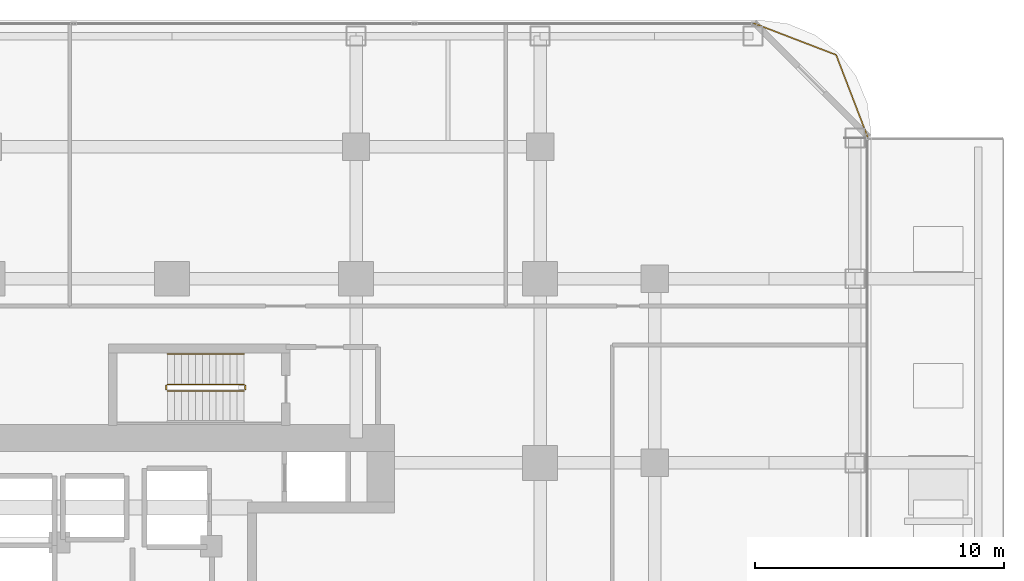
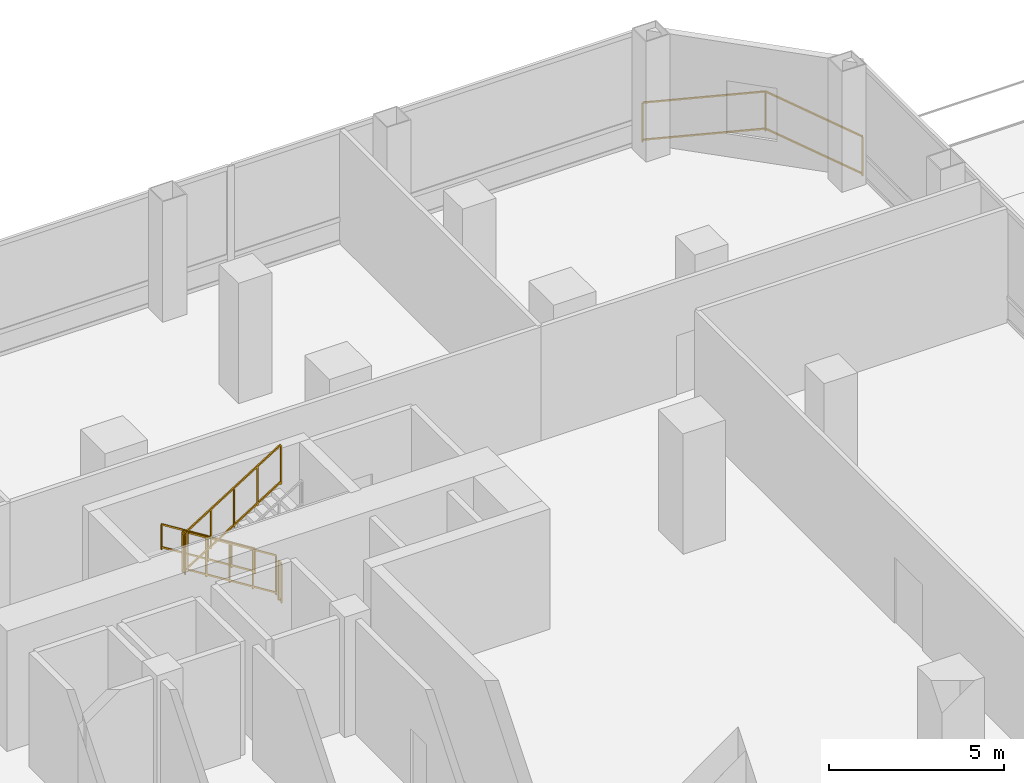
# One storey, part 29 of 29: 6 railings.
"""IFC4 building model written with IfcOpenShell, lengths in metres."""

from ifc_helpers import new_model, si_unit, direction, frame, origin, origin_2d, place, context, subcontext, project, spatial, rectangle, extrude, material, type_object, element, save


model = new_model("IFC4")

# Units and contexts
model_context = context("Model", 3, precision=1e-05, world=origin(), true_north=direction((0.0, 1.0)))
body_context = subcontext(model_context, "Body", "Model", "MODEL_VIEW")
ifc_project = project(units=[si_unit("LENGTHUNIT", "METRE"), si_unit("AREAUNIT", "SQUARE_METRE"), si_unit("VOLUMEUNIT", "CUBIC_METRE"), si_unit("PLANEANGLEUNIT", "RADIAN"), si_unit("MASSUNIT", "GRAM", prefix="KILO")], contexts=[model_context])

# Site, building, storey
site_placement = place(None, origin())
site = spatial("IfcSite", under=ifc_project, at=site_placement, CompositionType="ELEMENT")
building_placement = place(site_placement, origin())
building = spatial("IfcBuilding", under=site, at=building_placement, Name="Khorvyn Point Tower", CompositionType="ELEMENT")
storey_placement = place(building_placement, frame((0.0, 0.0, 26.39990234375)))
storey = spatial("IfcBuildingStorey", under=building, at=storey_placement, Name="L07", CompositionType="ELEMENT", Elevation=26.39990234375)

# Railings
ifc_material_1 = material(Name="Anodised aluminium 6063-T6 and laminated safety glass", Category="aluminium")
railing_type_1 = type_object("IfcRailingType", Name="Laminated Glass and Aluminium Balcony Guardrail 1400", PredefinedType="BALUSTRADE", material=ifc_material_1)
railing_1_placement = place(storey_placement, frame((27.97412109375, 20.470703125, 0.0)))
element("IfcRailing", 1, at=railing_1_placement, inside=storey, type_object=railing_type_1, Name="L07 Rounded Corner Edge Guardrail NE", PredefinedType="BALUSTRADE", context=body_context, shape_type="SweptSolid", body=[
    extrude(rectangle(XDim=0.048095703125, YDim=0.048095703125, at=origin_2d()), frame((0.0, 0.0, 1.3759765625), z_axis=(-0.35841886047, 0.933560882031, 0.0), x_axis=(-0.933560882031, -0.35841886047, 0.0)), (0.0, 0.0, 1.0), 3.563232421875),
    extrude(rectangle(XDim=0.048095703125, YDim=0.048095703125, at=origin_2d()), frame((0.0, 0.0, 0.080078125), z_axis=(-0.35841886047, 0.933560882031, 0.0), x_axis=(-0.933560882031, -0.35841886047, 0.0)), (0.0, 0.0, 1.0), 3.563232421875),
    extrude(rectangle(XDim=0.048095703125, YDim=0.048095703125, at=origin_2d()), frame((-1.277099609375, 3.326416015625, 1.3759765625), z_axis=(-0.933575007025, 0.358382067435, 0.0), x_axis=(-0.358382067435, -0.933575007025, 0.0)), (0.0, 0.0, 1.0), 3.562744140625),
    extrude(rectangle(XDim=0.048095703125, YDim=0.048095703125, at=origin_2d()), frame((-1.277099609375, 3.326416015625, 0.080078125), z_axis=(-0.933575007025, 0.358382067435, 0.0), x_axis=(-0.358382067435, -0.933575007025, 0.0)), (0.0, 0.0, 1.0), 3.562744140625),
    extrude(rectangle(XDim=0.0419921875, YDim=0.0419921875, at=origin_2d()), origin(), (0.0, 0.0, 1.0), 1.351806640625),
    extrude(rectangle(XDim=0.0419921875, YDim=0.0419921875, at=origin_2d()), frame((-1.277099609375, 3.326416015625, 0.0)), (0.0, 0.0, 1.0), 1.351806640625),
    extrude(rectangle(XDim=0.0419921875, YDim=0.0419921875, at=origin_2d()), frame((-4.603271484375, 4.603271484375, 0.0)), (0.0, 0.0, 1.0), 1.351806640625),
])
ifc_material_2 = material(Name="Stainless steel 1.4301", Category="steel")
railing_type_2 = type_object("IfcRailingType", Name="Stainless Steel 304 Stair Pitch Handrail 900", PredefinedType="HANDRAIL", material=ifc_material_2)
railing_2_placement = place(storey_placement, frame((2.89990234375, 11.77001953125, 0.175048828125)))
element("IfcRailing", 2, at=railing_2_placement, inside=storey, type_object=railing_type_2, Name="L07 ST-02 stair handrail 1", PredefinedType="HANDRAIL", context=body_context, shape_type="SweptSolid", body=[
    extrude(rectangle(XDim=0.048095703125, YDim=0.048095703125, at=origin_2d()), frame((0.0, 0.0, 0.8759765625), z_axis=(-0.847979421464, 0.0, 0.530029150871), x_axis=(0.0, -1.0, 0.0)), (0.0, 0.0, 1.0), 3.632080078125),
    extrude(rectangle(XDim=0.048095703125, YDim=0.048095703125, at=origin_2d()), frame((0.0, 0.0, 0.080078125), z_axis=(-0.847979421464, 0.0, 0.530029150871), x_axis=(0.0, -1.0, 0.0)), (0.0, 0.0, 1.0), 3.632080078125),
    extrude(rectangle(XDim=0.0419921875, YDim=0.0419921875, at=origin_2d()), origin(), (0.0, 0.0, 1.0), 0.851806640625),
    extrude(rectangle(XDim=0.0419921875, YDim=0.0419921875, at=origin_2d()), frame((-0.77001953125, 0.0, 0.481201171875)), (0.0, 0.0, 1.0), 0.851806640625),
    extrude(rectangle(XDim=0.0419921875, YDim=0.0419921875, at=origin_2d()), frame((-1.5400390625, 0.0, 0.96240234375)), (0.0, 0.0, 1.0), 0.851806640625),
    extrude(rectangle(XDim=0.0419921875, YDim=0.0419921875, at=origin_2d()), frame((-2.309814453125, 0.0, 1.44384765625)), (0.0, 0.0, 1.0), 0.851806640625),
    extrude(rectangle(XDim=0.0419921875, YDim=0.0419921875, at=origin_2d()), frame((-3.079833984375, 0.0, 1.925048828125)), (0.0, 0.0, 1.0), 0.851806640625),
])
railing_type_3 = type_object("IfcRailingType", Name="Stainless Steel 304 Stair Well Guardrail 1400", PredefinedType="GUARDRAIL", material=ifc_material_2)
railing_3_placement = place(storey_placement, frame((2.89990234375, 10.550048828125, 0.175048828125)))
element("IfcRailing", 3, at=railing_3_placement, inside=storey, type_object=railing_type_3, Name="L07 ST-02 stair guard 1", PredefinedType="GUARDRAIL", context=body_context, shape_type="SweptSolid", body=[
    extrude(rectangle(XDim=0.048095703125, YDim=0.048095703125, at=origin_2d()), frame((0.0, 0.0, 1.3759765625), z_axis=(-0.847979421464, 0.0, 0.530029150871), x_axis=(0.0, -1.0, 0.0)), (0.0, 0.0, 1.0), 3.632080078125),
    extrude(rectangle(XDim=0.048095703125, YDim=0.048095703125, at=origin_2d()), frame((0.0, 0.0, 0.080078125), z_axis=(-0.847979421464, 0.0, 0.530029150871), x_axis=(0.0, -1.0, 0.0)), (0.0, 0.0, 1.0), 3.632080078125),
    extrude(rectangle(XDim=0.0419921875, YDim=0.0419921875, at=origin_2d()), origin(), (0.0, 0.0, 1.0), 1.351806640625),
    extrude(rectangle(XDim=0.0419921875, YDim=0.0419921875, at=origin_2d()), frame((-0.77001953125, 0.0, 0.481201171875)), (0.0, 0.0, 1.0), 1.351806640625),
    extrude(rectangle(XDim=0.0419921875, YDim=0.0419921875, at=origin_2d()), frame((-1.5400390625, 0.0, 0.96240234375)), (0.0, 0.0, 1.0), 1.351806640625),
    extrude(rectangle(XDim=0.0419921875, YDim=0.0419921875, at=origin_2d()), frame((-2.309814453125, 0.0, 1.44384765625)), (0.0, 0.0, 1.0), 1.351806640625),
    extrude(rectangle(XDim=0.0419921875, YDim=0.0419921875, at=origin_2d()), frame((-3.079833984375, 0.0, 1.925048828125)), (0.0, 0.0, 1.0), 1.351806640625),
])
railing_4_placement = place(storey_placement, frame((-0.22998046875, 10.5, 2.10009765625)))
element("IfcRailing", 4, at=railing_4_placement, inside=storey, type_object=railing_type_3, Name="L07 ST-02 stair guard 2", PredefinedType="GUARDRAIL", context=body_context, shape_type="SweptSolid", body=[
    extrude(rectangle(XDim=0.048095703125, YDim=0.048095703125, at=origin_2d()), frame((0.0, 0.0, 1.3759765625), z_axis=(0.0, -1.0, 0.0), x_axis=(1.0, 0.0, 0.0)), (0.0, 0.0, 1.0), 0.159912109375),
    extrude(rectangle(XDim=0.048095703125, YDim=0.048095703125, at=origin_2d()), frame((0.0, 0.0, 0.080078125), z_axis=(0.0, -1.0, 0.0), x_axis=(1.0, 0.0, 0.0)), (0.0, 0.0, 1.0), 0.159912109375),
    extrude(rectangle(XDim=0.0419921875, YDim=0.0419921875, at=origin_2d()), origin(), (0.0, 0.0, 1.0), 1.351806640625),
    extrude(rectangle(XDim=0.0419921875, YDim=0.0419921875, at=origin_2d()), frame((0.0, -0.159912109375, 0.0)), (0.0, 0.0, 1.0), 1.351806640625),
])
railing_5_placement = place(storey_placement, frame((-0.179931640625, 10.2900390625, 2.275146484375)))
element("IfcRailing", 5, at=railing_5_placement, inside=storey, type_object=railing_type_3, Name="L07 ST-02 stair guard 3", PredefinedType="GUARDRAIL", context=body_context, shape_type="SweptSolid", body=[
    extrude(rectangle(XDim=0.048095703125, YDim=0.048095703125, at=origin_2d()), frame((0.0, 0.0, 1.3759765625), z_axis=(0.847979421464, 0.0, 0.530029150871), x_axis=(0.0, 1.0, 0.0)), (0.0, 0.0, 1.0), 3.632080078125),
    extrude(rectangle(XDim=0.048095703125, YDim=0.048095703125, at=origin_2d()), frame((0.0, 0.0, 0.080078125), z_axis=(0.847979421464, 0.0, 0.530029150871), x_axis=(0.0, 1.0, 0.0)), (0.0, 0.0, 1.0), 3.632080078125),
    extrude(rectangle(XDim=0.0419921875, YDim=0.0419921875, at=origin_2d()), origin(), (0.0, 0.0, 1.0), 1.351806640625),
    extrude(rectangle(XDim=0.0419921875, YDim=0.0419921875, at=origin_2d()), frame((0.77001953125, 0.0, 0.481201171875)), (0.0, 0.0, 1.0), 1.351806640625),
    extrude(rectangle(XDim=0.0419921875, YDim=0.0419921875, at=origin_2d()), frame((1.5400390625, 0.0, 0.96240234375)), (0.0, 0.0, 1.0), 1.351806640625),
    extrude(rectangle(XDim=0.0419921875, YDim=0.0419921875, at=origin_2d()), frame((2.309814453125, 0.0, 1.44384765625)), (0.0, 0.0, 1.0), 1.351806640625),
    extrude(rectangle(XDim=0.0419921875, YDim=0.0419921875, at=origin_2d()), frame((3.079833984375, 0.0, 1.925048828125)), (0.0, 0.0, 1.0), 1.351806640625),
])
railing_6_placement = place(storey_placement, frame((2.949951171875, 10.5, 0.0)))
element("IfcRailing", 6, at=railing_6_placement, inside=storey, type_object=railing_type_3, Name="L07 ST-02 stair guard 4", PredefinedType="GUARDRAIL", context=body_context, shape_type="SweptSolid", body=[
    extrude(rectangle(XDim=0.048095703125, YDim=0.048095703125, at=origin_2d()), frame((0.0, 0.0, 1.3759765625), z_axis=(0.0, -1.0, 0.0), x_axis=(1.0, 0.0, 0.0)), (0.0, 0.0, 1.0), 0.159912109375),
    extrude(rectangle(XDim=0.048095703125, YDim=0.048095703125, at=origin_2d()), frame((0.0, 0.0, 0.080078125), z_axis=(0.0, -1.0, 0.0), x_axis=(1.0, 0.0, 0.0)), (0.0, 0.0, 1.0), 0.159912109375),
    extrude(rectangle(XDim=0.0419921875, YDim=0.0419921875, at=origin_2d()), origin(), (0.0, 0.0, 1.0), 1.351806640625),
    extrude(rectangle(XDim=0.0419921875, YDim=0.0419921875, at=origin_2d()), frame((0.0, -0.159912109375, 0.0)), (0.0, 0.0, 1.0), 1.351806640625),
])

save(model, "model.ifc")
